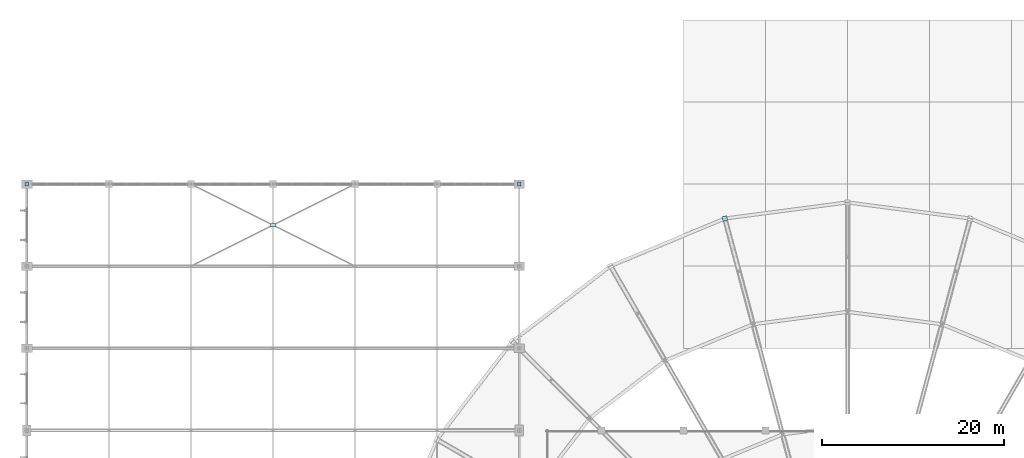
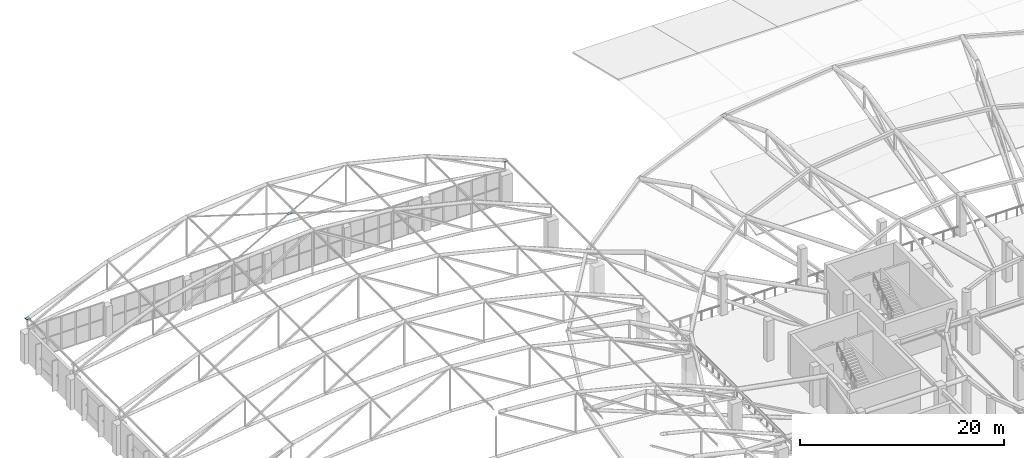
# One storey, part 136 of 167: 4 plates.
"""IFC4 building model written with IfcOpenShell, lengths in metres."""

from ifc_helpers import new_model, si_unit, direction, frame, origin, origin_2d, place, context, subcontext, project, spatial, rectangle, extrude, material, layer, layer_set, type_object, element, save


model = new_model("IFC4")

# Units and contexts
model_context = context("Model", 3, precision=1e-05, world=origin(), true_north=direction((0.0, 1.0)))
body_context = subcontext(model_context, "Body", "Model", "MODEL_VIEW")
ifc_project = project(units=[si_unit("LENGTHUNIT", "METRE"), si_unit("AREAUNIT", "SQUARE_METRE"), si_unit("VOLUMEUNIT", "CUBIC_METRE"), si_unit("PLANEANGLEUNIT", "RADIAN"), si_unit("MASSUNIT", "GRAM", prefix="KILO")], contexts=[model_context])

# Site, building, storey
site_placement = place(None, origin())
site = spatial("IfcSite", under=ifc_project, at=site_placement, CompositionType="ELEMENT")
building_placement = place(site_placement, origin())
building = spatial("IfcBuilding", under=site, at=building_placement, Name="Dornveld Trade and Exhibition Forum", CompositionType="ELEMENT")
storey_placement = place(building_placement, frame((0.0, 0.0, 16.800048828125)))
storey = spatial("IfcBuildingStorey", under=building, at=storey_placement, Name="L03", CompositionType="ELEMENT", Elevation=16.800048828125)

# Plates
ifc_material_1 = material(Name="Steel S355J2", Category="steel")
ifc_layer_1 = layer(ifc_material_1, 0.01611328125)
ifc_layer_set_1 = layer_set([ifc_layer_1], Name="Steel S355J2")
plate_type_1 = type_object("IfcPlateType", Name="PL-CAP-420x16", PredefinedType="SHEET", material=ifc_layer_set_1)
for number, where, z_axis, x_axis, name in (
    (1, (27.0, 135.0, 5.0419921875), (0.0, 0.0, 1.0), (1.0, 0.0, 0.0), "H3 truss 12 hollow end cap 1"),
    (2, (81.0, 135.0, 5.0419921875), (0.0, 0.0, 1.0), (1.0, 0.0, 0.0), "H3 truss 12 hollow end cap 2"),
):
    element("IfcPlate", number, at=place(storey_placement, frame(where, z_axis=z_axis, x_axis=x_axis)), inside=storey, type_object=plate_type_1, Name=name, PredefinedType="SHEET", context=body_context, shape_type="SweptSolid", body=[
        extrude(rectangle(XDim=0.419921875, YDim=0.419921875, at=origin_2d()), origin(), (0.0, 0.0, 1.0), 0.01611328125),
    ])
ifc_material_2 = material(Name="Steel S355J2", Category="steel")
ifc_layer_2 = layer(ifc_material_2, 0.02001953125)
ifc_layer_set_2 = layer_set([ifc_layer_2], Name="Steel S355J2")
plate_type_2 = type_object("IfcPlateType", Name="PL-CAP-520x20", PredefinedType="SHEET", material=ifc_layer_set_2)
plate_1_placement = place(storey_placement, frame((103.54150390625, 131.22802734375, 4.7900390625), z_axis=(0.0, 0.0, 1.0), x_axis=(-0.258819045103, 0.965925826289, 0.0)))
element("IfcPlate", 3, at=plate_1_placement, inside=storey, type_object=plate_type_2, Name="Floating disc tip closure plate 8", PredefinedType="SHEET", context=body_context, shape_type="SweptSolid", body=[
    extrude(rectangle(XDim=0.52001953125, YDim=0.52001953125, at=origin_2d()), origin(), (0.0, 0.0, 1.0), 0.02001953125),
])
ifc_material_3 = material(Name="Steel S355J2", Category="steel")
ifc_layer_3 = layer(ifc_material_3, 0.02587890625)
ifc_layer_set_3 = layer_set([ifc_layer_3], Name="Steel S355J2")
plate_type_3 = type_object("IfcPlateType", Name="PL-NODE-02", PredefinedType="USERDEFINED", material=ifc_layer_set_3)
plate_2_placement = place(storey_placement, frame((54.0, 130.5, 10.90283203125), z_axis=(0.0, 0.0, 1.0), x_axis=(1.0, 0.0, 0.0)))
element("IfcPlate", 4, at=plate_2_placement, inside=storey, type_object=plate_type_3, Name="H3 bay 11 X-brace crossing gusset plate", ObjectType="GUSSET", PredefinedType="USERDEFINED", context=body_context, shape_type="SweptSolid", body=[
    extrude(rectangle(XDim=0.52001953125, YDim=0.39990234375, at=origin_2d()), origin(), (0.0, 0.0, 1.0), 0.028076171875),
])

save(model, "model.ifc")
